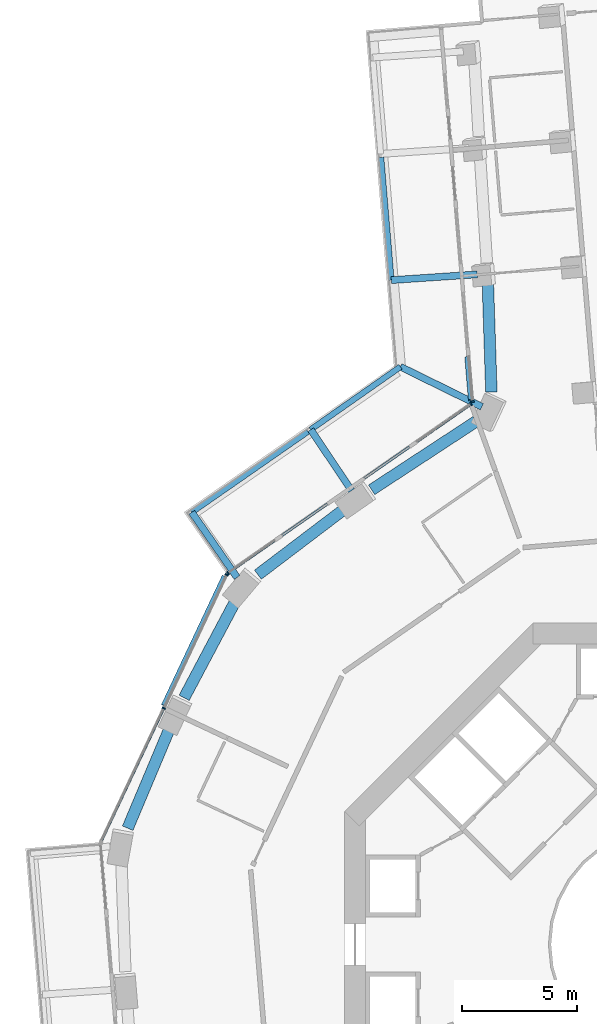
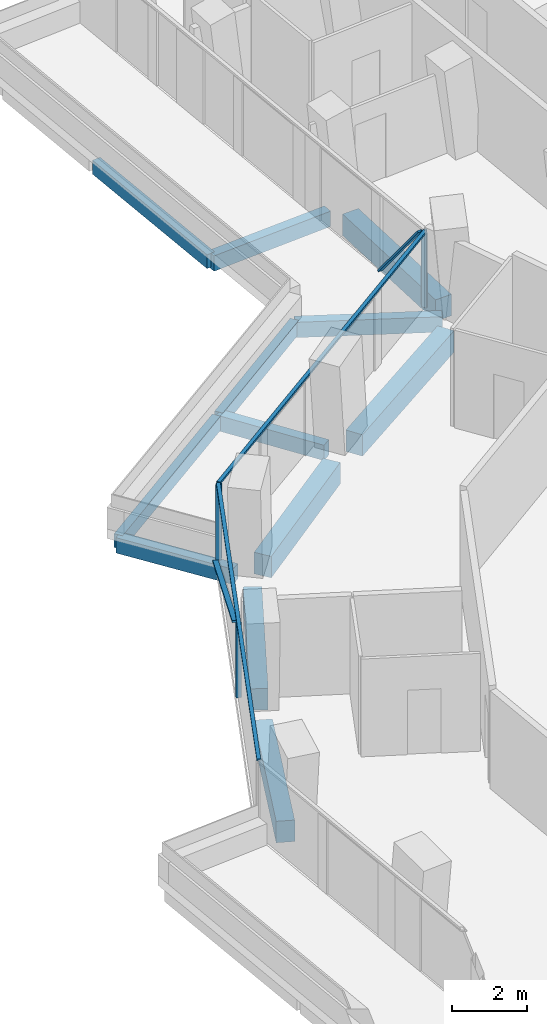
# One storey, part 7 of 26: 12 beams, 9 members, 3 elements without a shape of their own.
"""IFC4 building model written with IfcOpenShell, lengths in metres."""

from ifc_helpers import new_model, si_unit, direction, frame, origin, origin_2d, place, context, subcontext, project, spatial, rectangle, extrude, material, layer, layer_set, material_profile, profile_set, type_object, element, aggregate, save


model = new_model("IFC4")

# Units and contexts
model_context = context("Model", 3, precision=1e-05, world=origin(), true_north=direction((0.0, 1.0)))
body_context = subcontext(model_context, "Body", "Model", "MODEL_VIEW")
ifc_project = project(units=[si_unit("LENGTHUNIT", "METRE"), si_unit("AREAUNIT", "SQUARE_METRE"), si_unit("VOLUMEUNIT", "CUBIC_METRE"), si_unit("PLANEANGLEUNIT", "RADIAN"), si_unit("MASSUNIT", "GRAM", prefix="KILO")], contexts=[model_context])

# Site, building, storey
site_placement = place(None, origin())
site = spatial("IfcSite", under=ifc_project, at=site_placement, CompositionType="ELEMENT")
building_placement = place(site_placement, origin())
building = spatial("IfcBuilding", under=site, at=building_placement, Name="Verdalira Terraces Hotel", CompositionType="ELEMENT")
storey_placement = place(building_placement, frame((0.0, 0.0, 53.0)))
storey = spatial("IfcBuildingStorey", under=building, at=storey_placement, Name="L11", CompositionType="ELEMENT", Elevation=53.0)

# Beams
ifc_material_1 = material(Name="Concrete C40", Category="concrete")
ifc_material_profile_1 = material_profile(ifc_material_1, rectangle(XDim=0.300049, YDim=0.5, at=origin_2d()), Name="RC 300X500")
ifc_profile_set_1 = profile_set([ifc_material_profile_1], Name="Concrete C40")
beam_type_1 = type_object("IfcBeamType", Name="Balcony cantilever beam RC 300X500 C40", PredefinedType="BEAM", material=ifc_profile_set_1)
beam_1_placement = place(storey_placement, frame((-8.019775, 23.435791, -0.560059), z_axis=(-0.897593802, 0.440823509, 0.0), x_axis=(-0.440823509, -0.897593802, 0.0)))
element("IfcBeam", 1, at=beam_1_placement, inside=storey, type_object=beam_type_1, Name="Balcony cantilever beam R10-1", PredefinedType="BEAM", context=body_context, shape_type="SweptSolid", body=[
    extrude(rectangle(XDim=0.300049, YDim=0.5, at=origin_2d()), origin(), (0.0, 0.0, 1.0), 3.949951),
])
beam_2_placement = place(storey_placement, frame((-13.695312, 19.779541, -0.560059), z_axis=(-0.556898555, 0.830580519, 0.0), x_axis=(-0.830580519, -0.556898555, 0.0)))
element("IfcBeam", 2, at=beam_2_placement, inside=storey, type_object=beam_type_1, Name="Balcony cantilever beam R10-2", PredefinedType="BEAM", context=body_context, shape_type="SweptSolid", body=[
    extrude(rectangle(XDim=0.300049, YDim=0.5, at=origin_2d()), origin(), (0.0, 0.0, 1.0), 3.200684),
])
beam_3_placement = place(storey_placement, frame((-18.687988, 15.996582, -0.560059), z_axis=(-0.570729256, 0.821138305, 0.0), x_axis=(-0.821138305, -0.570729256, 0.0)))
element("IfcBeam", 3, at=beam_3_placement, inside=storey, type_object=beam_type_1, Name="Balcony cantilever beam R10-3", PredefinedType="BEAM", context=body_context, shape_type="SweptSolid", body=[
    extrude(rectangle(XDim=0.300049, YDim=0.5, at=origin_2d()), origin(), (0.0, 0.0, 1.0), 3.457275),
])
beam_4_placement = place(storey_placement, frame((-8.218262, 29.20459, -0.560059), z_axis=(-0.997754846, -0.06697214, 0.0), x_axis=(0.06697214, -0.997754846, 0.0)))
element("IfcBeam", 4, at=beam_4_placement, inside=storey, type_object=beam_type_1, Name="Balcony cantilever beam R10-6", PredefinedType="BEAM", context=body_context, shape_type="SweptSolid", body=[
    extrude(rectangle(XDim=0.300049, YDim=0.5, at=origin_2d()), origin(), (0.0, 0.0, 1.0), 3.754883),
])
ifc_material_2 = material(Name="Concrete C40", Category="concrete")
ifc_material_profile_2 = material_profile(ifc_material_2, rectangle(XDim=0.25, YDim=0.449951, at=origin_2d()), Name="RC 250X450")
ifc_profile_set_2 = profile_set([ifc_material_profile_2], Name="Concrete C40")
beam_type_2 = type_object("IfcBeamType", Name="Balcony edge beam RC 250X450 C40", PredefinedType="BEAM", material=ifc_profile_set_2)
beam_5_placement = place(storey_placement, frame((-11.565186, 25.177002, -0.534912), z_axis=(-0.819212708, -0.57348979, 0.0), x_axis=(0.57348979, -0.819212708, 0.0)))
element("IfcBeam", 5, at=beam_5_placement, inside=storey, type_object=beam_type_2, Name="Balcony edge beam R10-1", PredefinedType="BEAM", context=body_context, shape_type="SweptSolid", body=[
    extrude(rectangle(XDim=0.25, YDim=0.449951, at=origin_2d()), origin(), (0.0, 0.0, 1.0), 4.776123),
])
beam_6_placement = place(storey_placement, frame((-15.60083, 22.352539, -0.534912), z_axis=(-0.82114253, -0.570723177, 0.0), x_axis=(0.570723177, -0.82114253, 0.0)))
element("IfcBeam", 6, at=beam_6_placement, inside=storey, type_object=beam_type_2, Name="Balcony edge beam R10-2", PredefinedType="BEAM", context=body_context, shape_type="SweptSolid", body=[
    extrude(rectangle(XDim=0.25, YDim=0.449951, at=origin_2d()), origin(), (0.0, 0.0, 1.0), 6.162598),
])
beam_7_placement = place(storey_placement, frame((-12.414062, 34.302979, -0.534912), z_axis=(0.083719115, -0.996489393, 0.0), x_axis=(0.996489393, 0.083719115, 0.0)))
element("IfcBeam", 7, at=beam_7_placement, inside=storey, type_object=beam_type_2, Name="Balcony edge beam R10-4", PredefinedType="BEAM", context=body_context, shape_type="SweptSolid", body=[
    extrude(rectangle(XDim=0.25, YDim=0.449951, at=origin_2d()), origin(), (0.0, 0.0, 1.0), 5.368652),
])

# Curtain wall, members
ifc_material_3 = material(Name="Clear glass", Category="glass")
ifc_layer_1 = layer(ifc_material_3, 0.14990234375)
ifc_layer_set_1 = layer_set([ifc_layer_1], Name="CW1 curtain wall")
curtain_wall_type_1 = type_object("IfcCurtainWallType", Name="CW1 curtain wall", PredefinedType="NOTDEFINED", material=ifc_layer_set_1)
curtain_wall_1_placement = place(storey_placement, origin())
curtain_wall_1 = element("IfcCurtainWall", 8, at=curtain_wall_1_placement, inside=storey, type_object=curtain_wall_type_1, Name="CW1 curtain wall L11 edge 11", PredefinedType="NOTDEFINED")
ifc_material_4 = material(Name="Terracotta frame", Category="masonry")
ifc_material_profile_3 = material_profile(ifc_material_4, rectangle(XDim=0.060059, YDim=0.149902, at=origin_2d()), Name="MU 60x150")
ifc_profile_set_3 = profile_set([ifc_material_profile_3], Name="Terracotta frame")
member_type_1 = type_object("IfcMemberType", Name="CW1 mullion 60x150", PredefinedType="MULLION", material=ifc_profile_set_3)
member_1_placement = place(storey_placement, frame((-8.489014, 23.550537, 0.0), z_axis=(0.0, 0.0, 1.0), x_axis=(-0.821149209, -0.570713568, 0.0)))
member_1 = element("IfcMember", 9, at=member_1_placement, type_object=member_type_1, Name="CW1 mullion", PredefinedType="MULLION", context=body_context, shape_type="SweptSolid", body=[
    extrude(rectangle(XDim=0.060059, YDim=0.149902, at=origin_2d()), origin(), (0.0, 0.0, 1.0), 2.425049),
])
member_2_placement = place(storey_placement, frame((-19.081543, 16.188477, 0.0), z_axis=(0.0, 0.0, 1.0), x_axis=(-0.821149209, -0.570713568, 0.0)))
member_2 = element("IfcMember", 10, at=member_2_placement, type_object=member_type_1, Name="CW1 mullion", PredefinedType="MULLION", context=body_context, shape_type="SweptSolid", body=[
    extrude(rectangle(XDim=0.060059, YDim=0.149902, at=origin_2d()), origin(), (0.0, 0.0, 1.0), 2.425049),
])

curtain_wall_2_placement = place(storey_placement, origin())
curtain_wall_2 = element("IfcCurtainWall", 11, at=curtain_wall_2_placement, inside=storey, type_object=curtain_wall_type_1, Name="CW1 curtain wall L11 edge 12", PredefinedType="NOTDEFINED")
member_3_placement = place(storey_placement, frame((-19.144043, 16.114746, 0.0), z_axis=(0.0, 0.0, 1.0), x_axis=(-0.425779292, -0.904827052, 0.0)))
member_3 = element("IfcMember", 12, at=member_3_placement, type_object=member_type_1, Name="CW1 mullion", PredefinedType="MULLION", context=body_context, shape_type="SweptSolid", body=[
    extrude(rectangle(XDim=0.060059, YDim=0.149902, at=origin_2d()), origin(), (0.0, 0.0, 1.0), 2.425049),
])
member_4_placement = place(storey_placement, frame((-21.881836, 10.296875, 0.0), z_axis=(0.0, 0.0, 1.0), x_axis=(-0.425779292, -0.904827052, 0.0)))
member_4 = element("IfcMember", 13, at=member_4_placement, type_object=member_type_1, Name="CW1 mullion", PredefinedType="MULLION", context=body_context, shape_type="SweptSolid", body=[
    extrude(rectangle(XDim=0.060059, YDim=0.149902, at=origin_2d()), origin(), (0.0, 0.0, 1.0), 2.425049),
])

# Member
ifc_material_5 = material(Name="Terracotta frame", Category="masonry")
ifc_material_profile_4 = material_profile(ifc_material_5, rectangle(XDim=0.110107, YDim=0.064941, at=origin_2d()), Name="TR 65x110")
ifc_profile_set_4 = profile_set([ifc_material_profile_4], Name="Terracotta frame")
member_type_2 = type_object("IfcMemberType", Name="CW1 transom 65x110", PredefinedType="USERDEFINED", material=ifc_profile_set_4)
member_5_placement = place(storey_placement, frame((-8.464355, 23.567871, 2.45752), z_axis=(-0.821141654, -0.570724438, 0.0), x_axis=(0.570724438, -0.821141654, 0.0)))
member_5 = element("IfcMember", 14, at=member_5_placement, type_object=member_type_2, Name="CW1 transom", ObjectType="TRANSOM", PredefinedType="USERDEFINED", context=body_context, shape_type="SweptSolid", body=[
    extrude(rectangle(XDim=0.110107, YDim=0.064941, at=origin_2d()), origin(), (0.0, 0.0, 1.0), 12.959717),
])

aggregate(curtain_wall_1, [member_1, member_2, member_5])

member_6_placement = place(storey_placement, frame((-19.131348, 16.141846, 2.45752), z_axis=(-0.425763364, -0.904834547, 0.0), x_axis=(0.904834547, -0.425763364, 0.0)))
member_6 = element("IfcMember", 15, at=member_6_placement, type_object=member_type_2, Name="CW1 transom", ObjectType="TRANSOM", PredefinedType="USERDEFINED", context=body_context, shape_type="SweptSolid", body=[
    extrude(rectangle(XDim=0.110107, YDim=0.064941, at=origin_2d()), origin(), (0.0, 0.0, 1.0), 12.919678),
])

# Curtain wall, members
ifc_material_6 = material(Name="Clear glass", Category="glass")
ifc_layer_2 = layer(ifc_material_6, 0.14990234375)
ifc_layer_set_2 = layer_set([ifc_layer_2], Name="CW2 curtain wall")
curtain_wall_type_2 = type_object("IfcCurtainWallType", Name="CW2 curtain wall", PredefinedType="NOTDEFINED", material=ifc_layer_set_2)
curtain_wall_3_placement = place(storey_placement, origin())
curtain_wall_3 = element("IfcCurtainWall", 16, at=curtain_wall_3_placement, inside=storey, type_object=curtain_wall_type_2, Name="CW2 curtain wall L11 edge 10", PredefinedType="NOTDEFINED")
ifc_material_7 = material(Name="Terracotta frame", Category="masonry")
ifc_material_profile_5 = material_profile(ifc_material_7, rectangle(XDim=0.070068, YDim=0.149902, at=origin_2d()), Name="MU 70x150")
ifc_profile_set_5 = profile_set([ifc_material_profile_5], Name="Terracotta frame")
member_type_3 = type_object("IfcMemberType", Name="CW2 mullion 70x150", PredefinedType="MULLION", material=ifc_profile_set_5)
member_7_placement = place(storey_placement, frame((-8.435303, 23.67041, 0.0), z_axis=(0.0, 0.0, 1.0), x_axis=(0.083677843, -0.996492859, 0.0)))
member_7 = element("IfcMember", 17, at=member_7_placement, type_object=member_type_3, Name="CW2 mullion", PredefinedType="MULLION", context=body_context, shape_type="SweptSolid", body=[
    extrude(rectangle(XDim=0.070068, YDim=0.149902, at=origin_2d()), origin(), (0.0, 0.0, 1.0), 2.425049),
])
ifc_material_8 = material(Name="Terracotta frame", Category="masonry")
ifc_material_profile_6 = material_profile(ifc_material_8, rectangle(XDim=0.149902, YDim=0.060059, at=origin_2d()), Name="GB 60x150")
ifc_profile_set_6 = profile_set([ifc_material_profile_6], Name="Terracotta frame")
member_type_4 = type_object("IfcMemberType", Name="Diagonal glazing bar 60x150", PredefinedType="USERDEFINED", material=ifc_profile_set_6)
member_8_placement = place(storey_placement, frame((-8.687988, 25.591553, 0.03125), z_axis=(0.05203926, -0.619615203, 0.783178725), x_axis=(0.99649169, 0.083691766, 0.0)))
member_8 = element("IfcMember", 18, at=member_8_placement, type_object=member_type_4, Name="Diagonal glazing bar", ObjectType="GLAZING BAR", PredefinedType="USERDEFINED", context=body_context, shape_type="SweptSolid", body=[
    extrude(rectangle(XDim=0.149902, YDim=0.060059, at=origin_2d()), origin(), (0.0, 0.0, 1.0), 3.016602),
])
aggregate(curtain_wall_3, [member_7, member_8])

# Member
member_9_placement = place(storey_placement, frame((-19.269531, 16.057129, 0.028809), z_axis=(-0.397902986, -0.845630984, 0.355782873), x_axis=(0.904835606, -0.425761114, 0.0)))
member_9 = element("IfcMember", 19, at=member_9_placement, type_object=member_type_4, Name="Diagonal glazing bar", ObjectType="GLAZING BAR", PredefinedType="USERDEFINED", context=body_context, shape_type="SweptSolid", body=[
    extrude(rectangle(XDim=0.149902, YDim=0.060059, at=origin_2d()), origin(), (0.0, 0.0, 1.0), 6.654053),
])

aggregate(curtain_wall_2, [member_3, member_4, member_6, member_9])

# Beams
ifc_material_9 = material(Name="Concrete C70", Category="concrete")
ifc_material_profile_7 = material_profile(ifc_material_9, rectangle(XDim=0.5, YDim=0.699951, at=origin_2d()), Name="RC 500X700")
ifc_profile_set_7 = profile_set([ifc_material_profile_7], Name="Concrete C70")
beam_type_3 = type_object("IfcBeamType", Name="Spandrel beam RC 500X700 C70", PredefinedType="SPANDREL", material=ifc_profile_set_7)
beam_8_placement = place(storey_placement, frame((-7.755615, 28.788086, -0.659912), z_axis=(0.032279696, -0.999478875, 0.0), x_axis=(0.999478875, 0.032279696, 0.0)))
element("IfcBeam", 20, at=beam_8_placement, inside=storey, type_object=beam_type_3, Name="Spandrel beam B07", PredefinedType="SPANDREL", context=body_context, shape_type="SweptSolid", body=[
    extrude(rectangle(XDim=0.5, YDim=0.699951, at=origin_2d()), origin(), (0.0, 0.0, 1.0), 4.711914),
])
beam_9_placement = place(storey_placement, frame((-8.272461, 22.794189, -0.659912), z_axis=(-0.836552646, -0.547886548, 0.0), x_axis=(0.547886548, -0.836552646, 0.0)))
element("IfcBeam", 21, at=beam_9_placement, inside=storey, type_object=beam_type_3, Name="Spandrel beam B08", PredefinedType="SPANDREL", context=body_context, shape_type="SweptSolid", body=[
    extrude(rectangle(XDim=0.5, YDim=0.699951, at=origin_2d()), origin(), (0.0, 0.0, 1.0), 5.438965),
])
beam_10_placement = place(storey_placement, frame((-13.989502, 18.989746, -0.659912), z_axis=(-0.796716842, -0.604352772, 0.0), x_axis=(0.604352772, -0.796716842, 0.0)))
element("IfcBeam", 22, at=beam_10_placement, inside=storey, type_object=beam_type_3, Name="Spandrel beam B09", PredefinedType="SPANDREL", context=body_context, shape_type="SweptSolid", body=[
    extrude(rectangle(XDim=0.5, YDim=0.699951, at=origin_2d()), origin(), (0.0, 0.0, 1.0), 4.755615),
])
beam_11_placement = place(storey_placement, frame((-18.764404, 14.953613, -0.659912), z_axis=(-0.468630026, -0.883394532, 0.0), x_axis=(0.883394532, -0.468630026, 0.0)))
element("IfcBeam", 23, at=beam_11_placement, inside=storey, type_object=beam_type_3, Name="Spandrel beam B10", PredefinedType="SPANDREL", context=body_context, shape_type="SweptSolid", body=[
    extrude(rectangle(XDim=0.5, YDim=0.699951, at=origin_2d()), origin(), (0.0, 0.0, 1.0), 4.759033),
])
beam_12_placement = place(storey_placement, frame((-21.610352, 9.450684, -0.659912), z_axis=(-0.387770082, -0.92175613, 0.0), x_axis=(0.92175613, -0.387770082, 0.0)))
element("IfcBeam", 24, at=beam_12_placement, inside=storey, type_object=beam_type_3, Name="Spandrel beam B11", PredefinedType="SPANDREL", context=body_context, shape_type="SweptSolid", body=[
    extrude(rectangle(XDim=0.5, YDim=0.699951, at=origin_2d()), origin(), (0.0, 0.0, 1.0), 4.755371),
])

save(model, "model.ifc")
